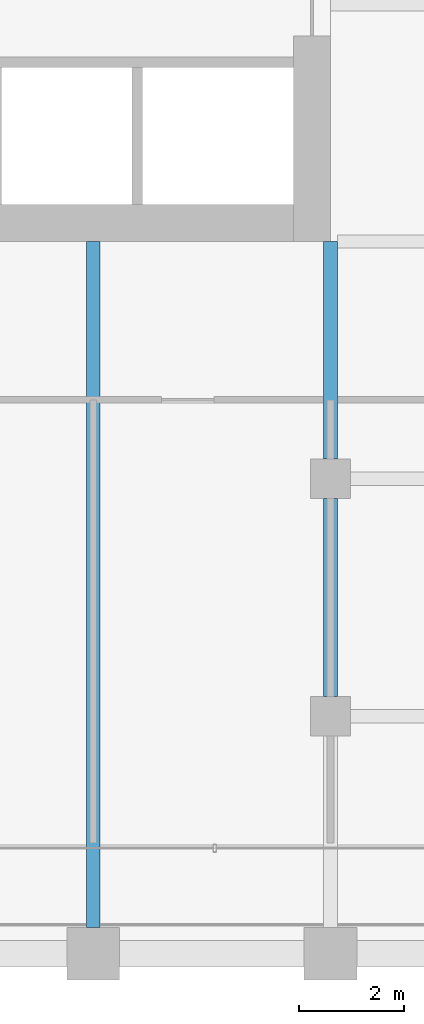
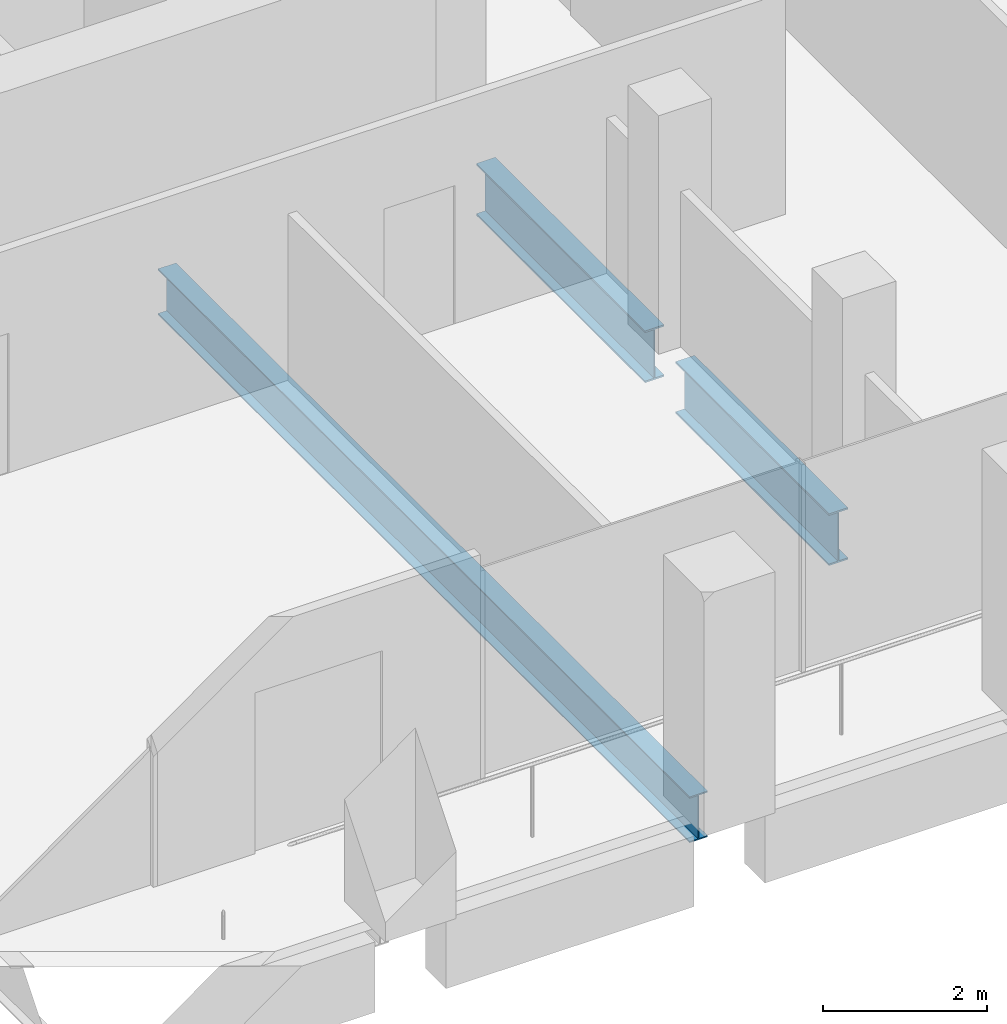
# One storey, part 10 of 45: 3 beams.
"""IFC4 building model written with IfcOpenShell, lengths in metres."""

from ifc_helpers import new_model, si_unit, direction, frame, origin, origin_2d, place, context, subcontext, project, spatial, i_section, extrude, material, material_profile, profile_set, type_object, element, save


model = new_model("IFC4")

# Units and contexts
model_context = context("Model", 3, precision=1e-05, world=origin(), true_north=direction((0.0, 1.0)))
body_context = subcontext(model_context, "Body", "Model", "MODEL_VIEW")
ifc_project = project(units=[si_unit("LENGTHUNIT", "METRE"), si_unit("AREAUNIT", "SQUARE_METRE"), si_unit("VOLUMEUNIT", "CUBIC_METRE"), si_unit("PLANEANGLEUNIT", "RADIAN"), si_unit("MASSUNIT", "GRAM", prefix="KILO")], contexts=[model_context])

# Site, building, storey
site_placement = place(None, origin())
site = spatial("IfcSite", under=ifc_project, at=site_placement, CompositionType="ELEMENT")
building_placement = place(site_placement, origin())
building = spatial("IfcBuilding", under=site, at=building_placement, Name="Altepetl Exchange Towers", CompositionType="ELEMENT")
storey_placement = place(building_placement, frame((0.0, 0.0, 110.0)))
storey = spatial("IfcBuildingStorey", under=building, at=storey_placement, Name="L27", CompositionType="ELEMENT", Elevation=110.0)

# Beams
ifc_material = material(Name="Steel S355", Category="steel")
ifc_material_profile_1 = material_profile(ifc_material, i_section(OverallWidth=0.25390625, OverallDepth=0.68408203125, WebThickness=0.012451171875, FlangeThickness=0.018798828125, at=origin_2d()), Name="W27X94")
ifc_profile_set_1 = profile_set([ifc_material_profile_1], Name="Steel S355")
beam_type_1 = type_object("IfcBeamType", Name="Floor beam W27X94", PredefinedType="BEAM", material=ifc_profile_set_1)
beam_1_placement = place(storey_placement, frame((54.0, 27.5, -0.491943359375), z_axis=(0.0, 1.0, 0.0), x_axis=(-1.0, 0.0, 0.0)))
element("IfcBeam", 1, at=beam_1_placement, inside=storey, type_object=beam_type_1, Name="bm:A:L27:017", PredefinedType="BEAM", context=body_context, shape_type="SweptSolid", body=[
    extrude(i_section(OverallWidth=0.25390625, OverallDepth=0.68408203125, WebThickness=0.012451171875, FlangeThickness=0.018798828125, at=origin_2d()), origin(), (0.0, 0.0, 1.0), 13.0),
])
ifc_material_profile_2 = material_profile(ifc_material, i_section(OverallWidth=0.26806640625, OverallDepth=0.77392578125, WebThickness=0.015380859375, FlangeThickness=0.025390625, at=origin_2d()), Name="W30X132")
ifc_profile_set_2 = profile_set([ifc_material_profile_2], Name="Steel S355")
beam_type_2 = type_object("IfcBeamType", Name="Girder W30X132", PredefinedType="BEAM", material=ifc_profile_set_2)
beam_2_placement = place(storey_placement, frame((58.5, 40.5, -0.537109375), z_axis=(0.0, -1.0, 0.0), x_axis=(1.0, 0.0, 0.0)))
element("IfcBeam", 2, at=beam_2_placement, inside=storey, type_object=beam_type_2, Name="gd:A:L27:003", PredefinedType="BEAM", context=body_context, shape_type="SweptSolid", body=[
    extrude(i_section(OverallWidth=0.26806640625, OverallDepth=0.77392578125, WebThickness=0.015380859375, FlangeThickness=0.025390625, at=origin_2d()), origin(), (0.0, 0.0, 1.0), 4.125),
])
beam_3_placement = place(storey_placement, frame((58.5, 35.625, -0.537109375), z_axis=(0.0, -1.0, 0.0), x_axis=(1.0, 0.0, 0.0)))
element("IfcBeam", 3, at=beam_3_placement, inside=storey, type_object=beam_type_2, Name="gd:A:L27:004", PredefinedType="BEAM", context=body_context, shape_type="SweptSolid", body=[
    extrude(i_section(OverallWidth=0.26806640625, OverallDepth=0.77392578125, WebThickness=0.015380859375, FlangeThickness=0.025390625, at=origin_2d()), origin(), (0.0, 0.0, 1.0), 3.75),
])

save(model, "model.ifc")
